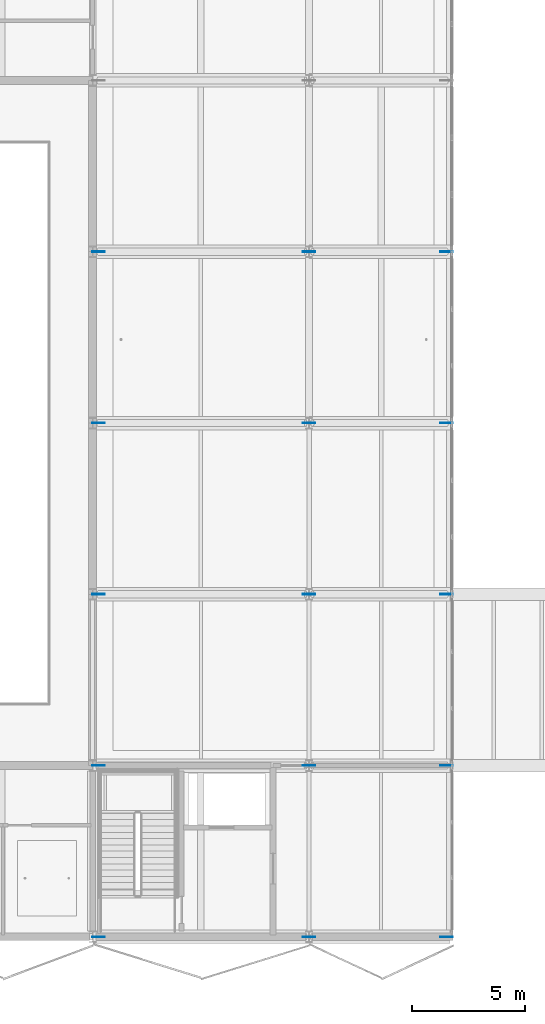
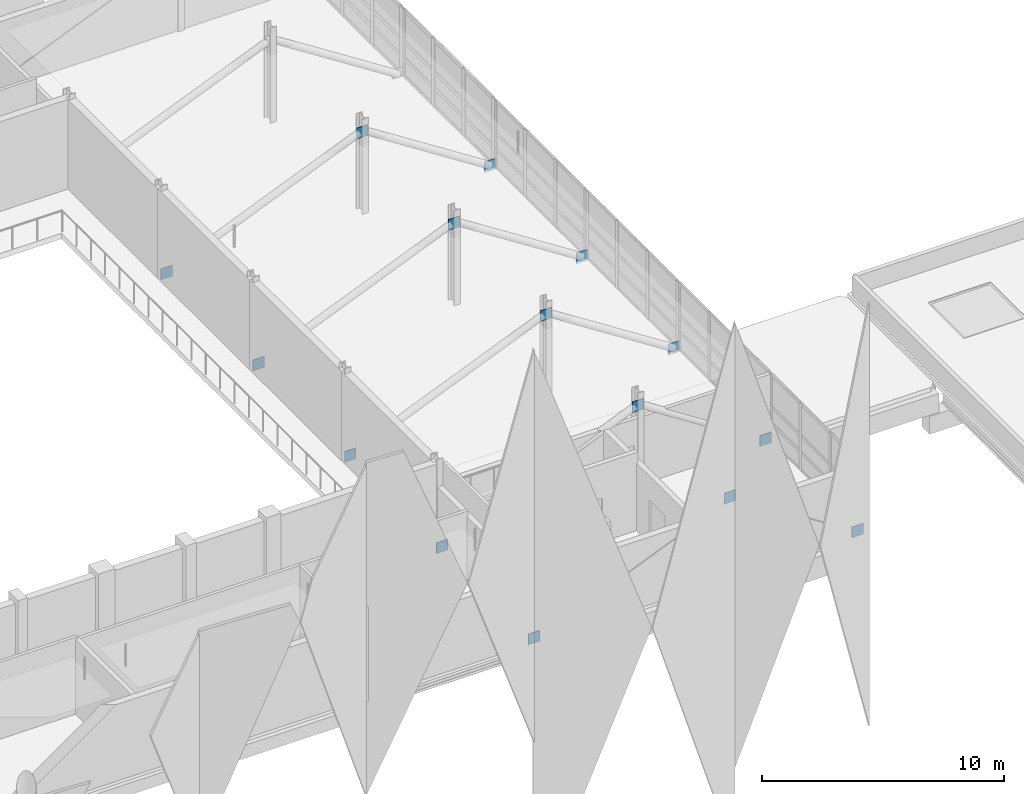
# One storey, part 65 of 107: 15 plates.
"""IFC4 building model written with IfcOpenShell, lengths in metres."""

from ifc_helpers import new_model, si_unit, direction, frame, origin, origin_2d, place, context, subcontext, project, spatial, rectangle, extrude, material, layer, layer_set, type_object, element, save


model = new_model("IFC4")

# Units and contexts
model_context = context("Model", 3, precision=1e-05, world=origin(), true_north=direction((0.0, 1.0)))
body_context = subcontext(model_context, "Body", "Model", "MODEL_VIEW")
ifc_project = project(units=[si_unit("LENGTHUNIT", "METRE"), si_unit("AREAUNIT", "SQUARE_METRE"), si_unit("VOLUMEUNIT", "CUBIC_METRE"), si_unit("PLANEANGLEUNIT", "RADIAN"), si_unit("MASSUNIT", "GRAM", prefix="KILO")], contexts=[model_context])

# Site, building, storey
site_placement = place(None, origin())
site = spatial("IfcSite", under=ifc_project, at=site_placement, CompositionType="ELEMENT")
building_placement = place(site_placement, origin())
building = spatial("IfcBuilding", under=site, at=building_placement, Name="Khelvaren Railside Concert Hall", CompositionType="ELEMENT")
storey_placement = place(building_placement, frame((0.0, 0.0, 15.0)))
storey = spatial("IfcBuildingStorey", under=building, at=storey_placement, Name="L03", CompositionType="ELEMENT", Elevation=15.0)

# Plates
ifc_material = material(Name="Steel S355", Category="steel")
ifc_layer = layer(ifc_material, 0.028076171875)
ifc_layer_set = layer_set([ifc_layer], Name="Steel S355")
plate_type = type_object("IfcPlateType", Name="GP71", PredefinedType="USERDEFINED", material=ifc_layer_set)
for number, where, z_axis, x_axis, name in (
    (1, (55.699951171875, 0.0, -0.125), (0.0, 0.0, 1.0), (1.0, 0.0, 0.0), "Cantilever Truss End Node Assembly L03-1-TIP"),
    (2, (49.60009765625, 0.0, 3.705078125), (0.0, 0.0, 1.0), (1.0, 0.0, 0.0), "Cantilever Truss End Node Assembly L03-1-TOP"),
    (3, (40.25, 0.0, -0.125), (0.0, 0.0, 1.0), (1.0, 0.0, 0.0), "Cantilever Truss End Node Assembly L03-1-BS"),
    (4, (55.699951171875, 7.60009765625, -0.125), (0.0, 0.0, 1.0), (1.0, 0.0, 0.0), "Cantilever Truss End Node Assembly L03-2-TIP"),
    (5, (49.60009765625, 7.60009765625, 3.705078125), (0.0, 0.0, 1.0), (1.0, 0.0, 0.0), "Cantilever Truss End Node Assembly L03-2-TOP"),
    (6, (40.25, 7.60009765625, -0.125), (0.0, 0.0, 1.0), (1.0, 0.0, 0.0), "Cantilever Truss End Node Assembly L03-2-BS"),
    (7, (55.699951171875, 15.199951171875, -0.125), (0.0, 0.0, 1.0), (1.0, 0.0, 0.0), "Cantilever Truss End Node Assembly L03-3-TIP"),
    (8, (49.60009765625, 15.199951171875, 3.705078125), (0.0, 0.0, 1.0), (1.0, 0.0, 0.0), "Cantilever Truss End Node Assembly L03-3-TOP"),
    (9, (40.25, 15.199951171875, -0.125), (0.0, 0.0, 1.0), (1.0, 0.0, 0.0), "Cantilever Truss End Node Assembly L03-3-BS"),
    (10, (55.699951171875, 22.800048828125, -0.125), (0.0, 0.0, 1.0), (1.0, 0.0, 0.0), "Cantilever Truss End Node Assembly L03-4-TIP"),
    (11, (49.60009765625, 22.800048828125, 3.705078125), (0.0, 0.0, 1.0), (1.0, 0.0, 0.0), "Cantilever Truss End Node Assembly L03-4-TOP"),
    (12, (40.25, 22.800048828125, -0.125), (0.0, 0.0, 1.0), (1.0, 0.0, 0.0), "Cantilever Truss End Node Assembly L03-4-BS"),
    (13, (55.699951171875, 30.39990234375, -0.125), (0.0, 0.0, 1.0), (1.0, 0.0, 0.0), "Cantilever Truss End Node Assembly L03-5-TIP"),
    (14, (49.60009765625, 30.39990234375, 3.705078125), (0.0, 0.0, 1.0), (1.0, 0.0, 0.0), "Cantilever Truss End Node Assembly L03-5-TOP"),
    (15, (40.25, 30.39990234375, -0.125), (0.0, 0.0, 1.0), (1.0, 0.0, 0.0), "Cantilever Truss End Node Assembly L03-5-BS"),
):
    element("IfcPlate", number, at=place(storey_placement, frame(where, z_axis=z_axis, x_axis=x_axis)), inside=storey, type_object=plate_type, Name=name, ObjectType="GUSSET PLATE", PredefinedType="USERDEFINED", context=body_context, shape_type="SweptSolid", body=[
        extrude(rectangle(XDim=0.550048828125, YDim=0.028076171875, at=origin_2d()), origin(), (0.0, 0.0, 1.0), 0.550048828125),
    ])

save(model, "model.ifc")
